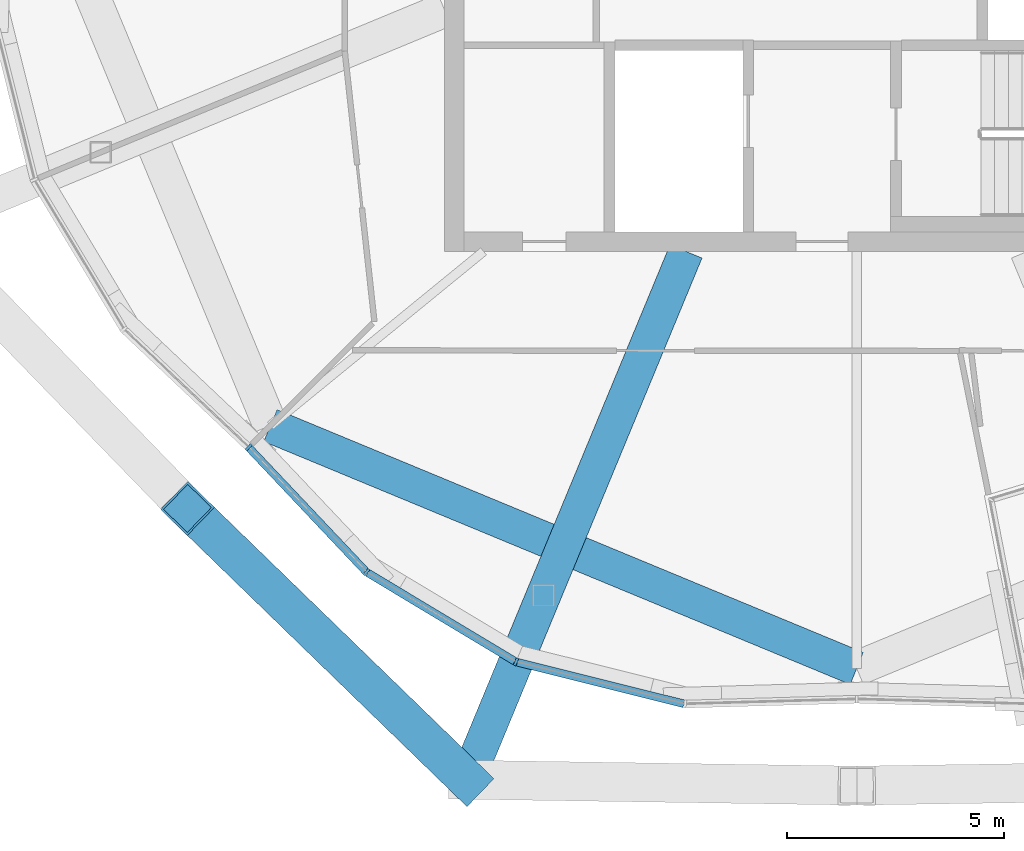
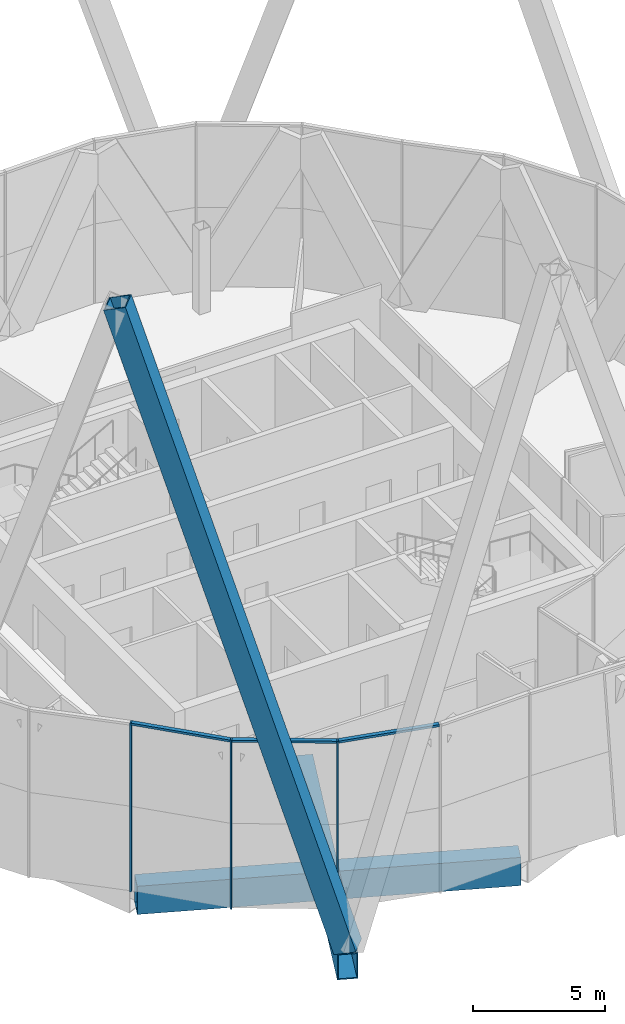
# One storey, part 3 of 53: 7 members, 2 beams, 2 elements without a shape of their own.
"""IFC4 building model written with IfcOpenShell, lengths in metres."""

import ifcopenshell
import ifcopenshell.guid

model = None  # the IFC model being written
_history = None  # IfcOwnerHistory: only IFC2X3 demands one
_inside = {}  # id of a spatial element -> (the spatial element, [elements in it])
_under = {}  # id of a project, library or spatial element -> (it, [spatial elements below it])
_declared = {}  # id of a project -> (the project, [libraries it declares])
_typed = {}  # id of a type object -> (the type object, [elements of that type])
_made_of = {}  # id of a material, layer set ... -> (it, [elements and type objects made of it])


def new_model(schema):
    """Start an empty IFC model of exactly this schema.

    Asked for "IFC4X3", IfcOpenShell would pick the latest addendum, in which some entities
    have other attributes; the version numbers below select the first issue.
    IFC2X3 requires an IfcOwnerHistory on every rooted entity: one is made here for all.
    """
    global model, _history
    if schema == "IFC4X3":
        model = ifcopenshell.file(schema_version=(4, 3, 0, 0))
    else:
        model = ifcopenshell.file(schema=schema)
    _inside.clear()
    _under.clear()
    _declared.clear()
    _typed.clear()
    _made_of.clear()
    _history = None
    if model.schema == "IFC2X3":
        org = make("IfcOrganization", Name="unknown")
        user = make(
            "IfcPersonAndOrganization",
            ThePerson=make("IfcPerson", FamilyName="unknown"),
            TheOrganization=org,
        )
        app = make(
            "IfcApplication",
            ApplicationDeveloper=org,
            Version="unknown",
            ApplicationFullName="unknown",
            ApplicationIdentifier="unknown",
        )
        _history = make(
            "IfcOwnerHistory",
            OwningUser=user,
            OwningApplication=app,
            ChangeAction="ADDED",
            CreationDate=0,
        )
    return model


def make(cls, **values):
    """One entity of the class cls with the attributes given. An attribute that is None is left unset."""
    return model.create_entity(
        cls, **{name: value for name, value in values.items() if value is not None}
    )


def rooted(cls, **values):
    """An entity with a GlobalId (a new one), such as an element, a storey or a relation."""
    return make(cls, GlobalId=ifcopenshell.guid.new(), OwnerHistory=_history, **values)


def si_unit(unit_type, name, prefix=None):
    """IfcSIUnit, for example si_unit("LENGTHUNIT", "METRE", prefix="MILLI")."""
    return make("IfcSIUnit", UnitType=unit_type, Prefix=prefix, Name=name)


def assignment(units):
    """IfcUnitAssignment: the units of a project."""
    return None if units is None else make("IfcUnitAssignment", Units=units)


def point(xyz):
    """IfcCartesianPoint."""
    return None if xyz is None else make("IfcCartesianPoint", Coordinates=xyz)


def direction(xyz):
    """IfcDirection."""
    return None if xyz is None else make("IfcDirection", DirectionRatios=xyz)


def frame(location, z_axis=None, x_axis=None):
    """IfcAxis2Placement3D, a coordinate frame: its origin and axes. An axis left out is left unset."""
    return make(
        "IfcAxis2Placement3D",
        Location=point(location),
        Axis=direction(z_axis),
        RefDirection=direction(x_axis),
    )


def frame_2d(location, x_axis=None):
    """IfcAxis2Placement2D, a coordinate frame in the plane: its origin and x axis."""
    return make(
        "IfcAxis2Placement2D", Location=point(location), RefDirection=direction(x_axis)
    )


def origin():
    """The frame at (0, 0, 0) with its axes left unset."""
    return frame((0.0, 0.0, 0.0))


def origin_2d():
    """The frame at (0, 0) in the plane with its x axis left unset."""
    return frame_2d((0.0, 0.0))


def place(relative_to, where):
    """IfcLocalPlacement: puts the frame where relative to a parent placement (None: the world)."""
    return make(
        "IfcLocalPlacement", PlacementRelTo=relative_to, RelativePlacement=where
    )


def context(
    kind, dimensions, precision=None, world=None, true_north=None, identifier=None
):
    """IfcGeometricRepresentationContext, for example the 3D "Model" context."""
    return make(
        "IfcGeometricRepresentationContext",
        ContextIdentifier=identifier,
        ContextType=kind,
        CoordinateSpaceDimension=dimensions,
        Precision=precision,
        WorldCoordinateSystem=world,
        TrueNorth=true_north,
    )


def subcontext(parent, identifier, kind, view, scale=None):
    """IfcGeometricRepresentationSubContext, for example "Body" below "Model"."""
    return make(
        "IfcGeometricRepresentationSubContext",
        ContextIdentifier=identifier,
        ContextType=kind,
        ParentContext=parent,
        TargetScale=scale,
        TargetView=view,
    )


def project(units=None, contexts=None):
    """IfcProject with its units and contexts."""
    return rooted(
        "IfcProject",
        Name="project",
        RepresentationContexts=contexts,
        UnitsInContext=assignment(units),
    )


def spatial(cls, under=None, at=None, **own):
    """A site, building, storey or space (cls), placed at a placement, below another one or the project."""
    s = rooted(cls, ObjectPlacement=at, **own)
    if under is not None:
        _under.setdefault(under.id(), (under, []))[1].append(s)
    return s


def profile(cls, at=None, kind="AREA", **sizes):
    """A parametric profile (cls). Its sizes go by their IFC names, for example OverallWidth=200.0."""
    return make(cls, ProfileType=kind, Position=at, **sizes)


def rectangle(**sizes):
    """IfcRectangleProfileDef."""
    return profile("IfcRectangleProfileDef", **sizes)


def hollow_rectangle(**sizes):
    """IfcRectangleHollowProfileDef."""
    return profile("IfcRectangleHollowProfileDef", **sizes)


def extrude(swept, where, along, depth):
    """IfcExtrudedAreaSolid: the profile swept, set in the frame where, extruded along a direction by depth."""
    return make(
        "IfcExtrudedAreaSolid",
        SweptArea=swept,
        Position=where,
        ExtrudedDirection=direction(along),
        Depth=depth,
    )


def shape(context_of_items, identifier, shape_type, items):
    """IfcShapeRepresentation: the items that make up one representation, for example the "Body"."""
    return make(
        "IfcShapeRepresentation",
        ContextOfItems=context_of_items,
        RepresentationIdentifier=identifier,
        RepresentationType=shape_type,
        Items=items,
    )


def material(Name=None, Category=None):
    """IfcMaterial."""
    return make("IfcMaterial", Name=Name, Category=Category)


def material_profile(
    of_material, cross_section, Name=None, Category=None, Priority=None
):
    """IfcMaterialProfile: a cross section and its material."""
    return make(
        "IfcMaterialProfile",
        Name=Name,
        Material=of_material,
        Profile=cross_section,
        Priority=Priority,
        Category=Category,
    )


def profile_set(profiles, Name=None, composite=None):
    """IfcMaterialProfileSet."""
    return make(
        "IfcMaterialProfileSet",
        Name=Name,
        MaterialProfiles=profiles,
        CompositeProfile=composite,
    )


def made_of(thing, what):
    """Note that an element or type object is made of a material, layer set ...; save() writes the relation."""
    if what is not None:
        _made_of.setdefault(what.id(), (what, []))[1].append(thing)
    return thing


def type_object(cls, material=None, **own):
    """A type object (cls), such as IfcWallType, which elements share."""
    return made_of(rooted(cls, **own), material)


def element(
    cls,
    number,
    at=None,
    inside=None,
    cuts=None,
    type_object=None,
    material=None,
    context=None,
    identifier="Body",
    shape_type=None,
    held_by="IfcProductDefinitionShape",
    body=None,
    shapes=None,
    **own,
):
    """One element of the class cls, such as IfcWall. Its Tag is "e" and its number.

    at: its placement. inside: the storey or other place that contains it. cuts: it is an
    opening in that element (IfcRelVoidsElement). A single representation is given by context,
    identifier, shape_type and body (its items); several are given by shapes. held_by: the class
    of the entity that holds the representations. save() writes the other relations.
    """
    e = rooted(cls, Tag="e%d" % number, ObjectPlacement=at, **own)
    if body is not None:
        shapes = [shape(context, identifier, shape_type, body)]
    if shapes is not None:
        e.Representation = make(held_by, Representations=shapes)
    if inside is not None:
        _inside.setdefault(inside.id(), (inside, []))[1].append(e)
    if cuts is not None:
        rooted(
            "IfcRelVoidsElement", RelatingBuildingElement=cuts, RelatedOpeningElement=e
        )
    if type_object is not None:
        _typed.setdefault(type_object.id(), (type_object, []))[1].append(e)
    return made_of(e, material)


def aggregate(whole, parts):
    """IfcRelAggregates: a whole, such as a stair, and the parts it consists of."""
    return rooted("IfcRelAggregates", RelatingObject=whole, RelatedObjects=parts)


def save(model, path):
    """Write the relations noted so far, then the file.

    IfcRelAggregates (storeys below a building ...), IfcRelContainedInSpatialStructure (elements
    in a storey), IfcRelDefinesByType, IfcRelAssociatesMaterial and IfcRelDeclares: one each for
    every whole, place, type object, material and project.
    """
    for whole, parts in _under.values():
        aggregate(whole, parts)
    for where, things in _inside.values():
        rooted(
            "IfcRelContainedInSpatialStructure",
            RelatedElements=things,
            RelatingStructure=where,
        )
    for kind, things in _typed.values():
        rooted("IfcRelDefinesByType", RelatedObjects=things, RelatingType=kind)
    for what, things in _made_of.values():
        rooted("IfcRelAssociatesMaterial", RelatedObjects=things, RelatingMaterial=what)
    for by, libraries in _declared.values():
        rooted("IfcRelDeclares", RelatingContext=by, RelatedDefinitions=libraries)
    model.write(path)


model = new_model("IFC4")

# Units and contexts
model_context = context("Model", 3, precision=1e-05, world=origin(), true_north=direction((0.0, 1.0)))
body_context = subcontext(model_context, "Body", "Model", "MODEL_VIEW")
ifc_project = project(units=[si_unit("LENGTHUNIT", "METRE"), si_unit("AREAUNIT", "SQUARE_METRE"), si_unit("VOLUMEUNIT", "CUBIC_METRE"), si_unit("PLANEANGLEUNIT", "RADIAN"), si_unit("MASSUNIT", "GRAM", prefix="KILO")], contexts=[model_context])

# Site, building, storey
site_placement = place(None, origin())
site = spatial("IfcSite", under=ifc_project, at=site_placement, CompositionType="ELEMENT")
building_placement = place(site_placement, origin())
building = spatial("IfcBuilding", under=site, at=building_placement, Name="Ogive Gate Towers", CompositionType="ELEMENT")
storey_placement = place(building_placement, frame((0.0, 0.0, 240.60009765625)))
storey = spatial("IfcBuildingStorey", under=building, at=storey_placement, Name="L57", CompositionType="ELEMENT", Elevation=240.60009765625)

# Member
ifc_material_1 = material(Name="Steel SM460", Category="steel")
ifc_material_profile_1 = material_profile(ifc_material_1, hollow_rectangle(XDim=0.89990234375, YDim=0.89990234375, WallThickness=0.050048828125, at=origin_2d()), Name="BX 900x900x50")
ifc_profile_set_1 = profile_set([ifc_material_profile_1], Name="Steel SM460")
member_type_1 = type_object("IfcMemberType", Name="Diagrid diagonal BX 900x900x50", PredefinedType="BRACE", material=ifc_profile_set_1)
member_1_placement = place(storey_placement, frame((-44.977783203125, -21.67431640625, 0.0), z_axis=(-0.217751746913, 0.211259451685, 0.952866003586), x_axis=(-0.696326291775, -0.717725362087, 0.0)))
element("IfcMember", 1, at=member_1_placement, inside=storey, type_object=member_type_1, Name="T1/L57/SDG011", PredefinedType="BRACE", context=body_context, shape_type="SweptSolid", body=[
    extrude(hollow_rectangle(XDim=0.89990234375, YDim=0.89990234375, WallThickness=0.050048828125, at=origin_2d()), origin(), (0.0, 0.0, 1.0), 29.594970703125),
])

# Beam
ifc_material_profile_2 = material_profile(ifc_material_1, hollow_rectangle(XDim=0.800048828125, YDim=1.300048828125, WallThickness=0.050048828125, at=origin_2d()), Name="BX 1300x800x50")
ifc_profile_set_2 = profile_set([ifc_material_profile_2], Name="Steel SM460")
beam_type_1 = type_object("IfcBeamType", Name="Edge girder BX 1300x800x50", PredefinedType="BEAM", material=ifc_profile_set_2)
beam_1_placement = place(storey_placement, frame((-49.5126953125, -13.5126953125, -0.9501953125), z_axis=(0.923872994947, -0.38269921506, 0.0), x_axis=(0.38269921506, 0.923872994947, 0.0)))
element("IfcBeam", 2, at=beam_1_placement, inside=storey, type_object=beam_type_1, Name="T1/L57/SBM017", PredefinedType="BEAM", context=body_context, shape_type="SweptSolid", body=[
    extrude(hollow_rectangle(XDim=0.800048828125, YDim=1.300048828125, WallThickness=0.050048828125, at=origin_2d()), origin(), (0.0, 0.0, 1.0), 14.626220703125),
])

# Curtain wall, member
ifc_material_2 = material(Name="Pale metal aluminium", Category="aluminium")
curtain_wall_type = type_object("IfcCurtainWallType", Name="Tower unitised wall, high zone", PredefinedType="NOTDEFINED", material=ifc_material_2)
curtain_wall_1_placement = place(storey_placement, origin())
curtain_wall_1 = element("IfcCurtainWall", 3, at=curtain_wall_1_placement, inside=storey, type_object=curtain_wall_type, Name="CW2 T1 ECW07", PredefinedType="NOTDEFINED")
ifc_material_profile_3 = material_profile(ifc_material_2, rectangle(XDim=0.179931640625, YDim=0.06005859375, at=origin_2d()), Name="60 x 180 aluminium box")
ifc_profile_set_3 = profile_set([ifc_material_profile_3], Name="Pale metal aluminium")
member_type_2 = type_object("IfcMemberType", Name="Tower unitised wall, high zone mullion 60 x 180", PredefinedType="MULLION", material=ifc_profile_set_3)
member_2_placement = place(storey_placement, frame((-50.0146484375, -14.01513671875, -0.300048828125), z_axis=(0.0, 0.0, 1.0), x_axis=(0.686795789687, 0.726850427027, 0.0)))
member_2 = element("IfcMember", 4, at=member_2_placement, type_object=member_type_2, Name="CW2 mullion", PredefinedType="MULLION", context=body_context, shape_type="SweptSolid", body=[
    extrude(rectangle(XDim=0.179931640625, YDim=0.06005859375, at=origin_2d()), origin(), (0.0, 0.0, 1.0), 7.800048828125),
])
aggregate(curtain_wall_1, [member_2])

# Curtain wall, members
curtain_wall_2_placement = place(storey_placement, origin())
curtain_wall_2 = element("IfcCurtainWall", 5, at=curtain_wall_2_placement, inside=storey, type_object=curtain_wall_type, Name="CW2 T1 ECW08", PredefinedType="NOTDEFINED")
member_3_placement = place(storey_placement, frame((-43.85302734375, -18.958984375, -0.300048828125), z_axis=(0.0, 0.0, 1.0), x_axis=(0.382683432365, 0.923879532511, 0.0)))
member_3 = element("IfcMember", 6, at=member_3_placement, type_object=member_type_2, Name="CW2 mullion", PredefinedType="MULLION", context=body_context, shape_type="SweptSolid", body=[
    extrude(rectangle(XDim=0.179931640625, YDim=0.06005859375, at=origin_2d()), origin(), (0.0, 0.0, 1.0), 7.800048828125),
])
member_4_placement = place(storey_placement, frame((-47.297607421875, -16.890380859375, -0.300048828125), z_axis=(0.0, 0.0, 1.0), x_axis=(0.626671819046, 0.779283280466, 0.0)))
member_4 = element("IfcMember", 7, at=member_4_placement, type_object=member_type_2, Name="CW2 mullion", PredefinedType="MULLION", context=body_context, shape_type="SweptSolid", body=[
    extrude(rectangle(XDim=0.179931640625, YDim=0.06005859375, at=origin_2d()), origin(), (0.0, 0.0, 1.0), 7.800048828125),
])
ifc_material_profile_4 = material_profile(ifc_material_2, rectangle(XDim=0.179931640625, YDim=0.10009765625, at=origin_2d()), Name="100 x 180 aluminium box")
ifc_profile_set_4 = profile_set([ifc_material_profile_4], Name="Pale metal aluminium")
member_type_3 = type_object("IfcMemberType", Name="Tower unitised wall, high zone transom 100 x 180", PredefinedType="USERDEFINED", material=ifc_profile_set_4)
member_5_placement = place(storey_placement, frame((-39.985107421875, -19.92431640625, 7.449951171875), z_axis=(-0.970251335251, 0.24209986874, 0.0), x_axis=(-0.24209986874, -0.970251335251, 0.0)))
member_5 = element("IfcMember", 8, at=member_5_placement, type_object=member_type_3, Name="CW2 transom", ObjectType="TRANSOM", PredefinedType="USERDEFINED", context=body_context, shape_type="SweptSolid", body=[
    extrude(rectangle(XDim=0.179931640625, YDim=0.10009765625, at=origin_2d()), origin(), (0.0, 0.0, 1.0), 3.955078125),
])
member_6_placement = place(storey_placement, frame((-43.880126953125, -18.94287109375, 7.449951171875), z_axis=(-0.857296782072, 0.51482252034, 0.0), x_axis=(-0.51482252034, -0.857296782072, 0.0)))
member_6 = element("IfcMember", 9, at=member_6_placement, type_object=member_type_3, Name="CW2 transom", ObjectType="TRANSOM", PredefinedType="USERDEFINED", context=body_context, shape_type="SweptSolid", body=[
    extrude(rectangle(XDim=0.179931640625, YDim=0.10009765625, at=origin_2d()), origin(), (0.0, 0.0, 1.0), 3.955078125),
])
member_7_placement = place(storey_placement, frame((-47.319091796875, -16.867919921875, 7.449951171875), z_axis=(-0.686798350204, 0.726848007603, 0.0), x_axis=(-0.726848007603, -0.686798350204, 0.0)))
member_7 = element("IfcMember", 10, at=member_7_placement, type_object=member_type_3, Name="CW2 transom", ObjectType="TRANSOM", PredefinedType="USERDEFINED", context=body_context, shape_type="SweptSolid", body=[
    extrude(rectangle(XDim=0.179931640625, YDim=0.10009765625, at=origin_2d()), origin(), (0.0, 0.0, 1.0), 3.895263671875),
])
aggregate(curtain_wall_2, [member_3, member_5, member_4, member_6, member_7])

# Beam
ifc_material_profile_5 = material_profile(ifc_material_1, hollow_rectangle(XDim=0.800048828125, YDim=1.199951171875, WallThickness=0.050048828125, at=origin_2d()), Name="BX 1200x800x50")
ifc_profile_set_5 = profile_set([ifc_material_profile_5], Name="Steel SM460")
beam_type_2 = type_object("IfcBeamType", Name="Transfer radial beam BX 1200x800x50", PredefinedType="BEAM", material=ifc_profile_set_5)
beam_2_placement = place(storey_placement, frame((-39.93505859375, -9.5, -0.900146484375), z_axis=(-0.382680688612, -0.923880669006, 0.0), x_axis=(0.923880669006, -0.382680688612, 0.0)))
element("IfcBeam", 11, at=beam_2_placement, inside=storey, type_object=beam_type_2, Name="T1/L57/SBM002", PredefinedType="BEAM", context=body_context, shape_type="SweptSolid", body=[
    extrude(hollow_rectangle(XDim=0.800048828125, YDim=1.199951171875, WallThickness=0.050048828125, at=origin_2d()), origin(), (0.0, 0.0, 1.0), 13.177490234375),
])

save(model, "model.ifc")
